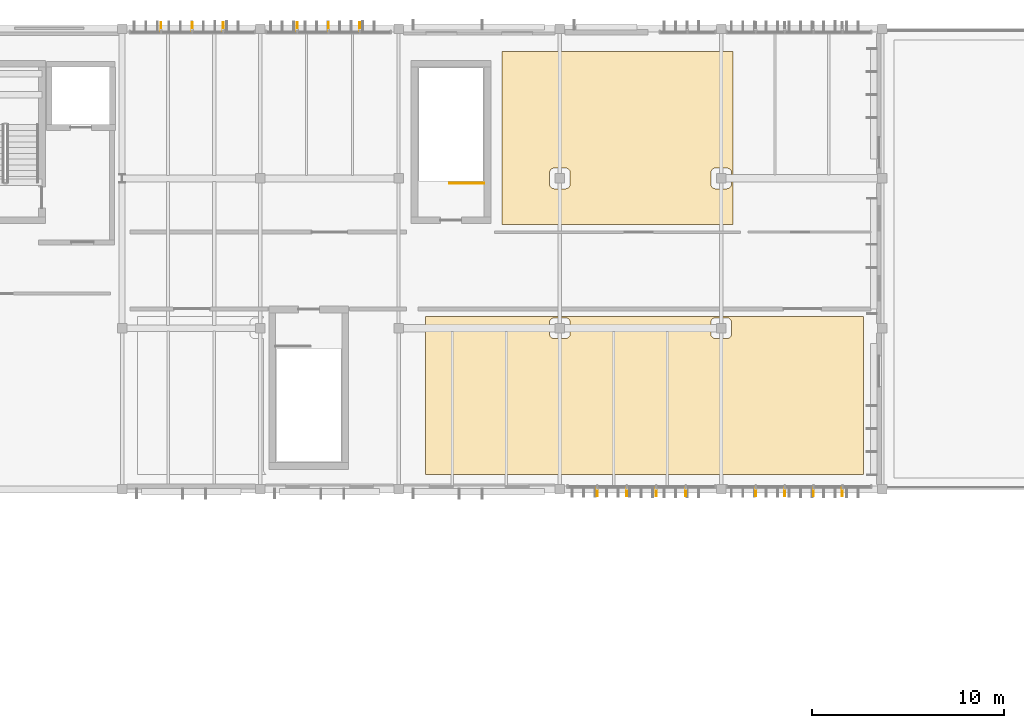
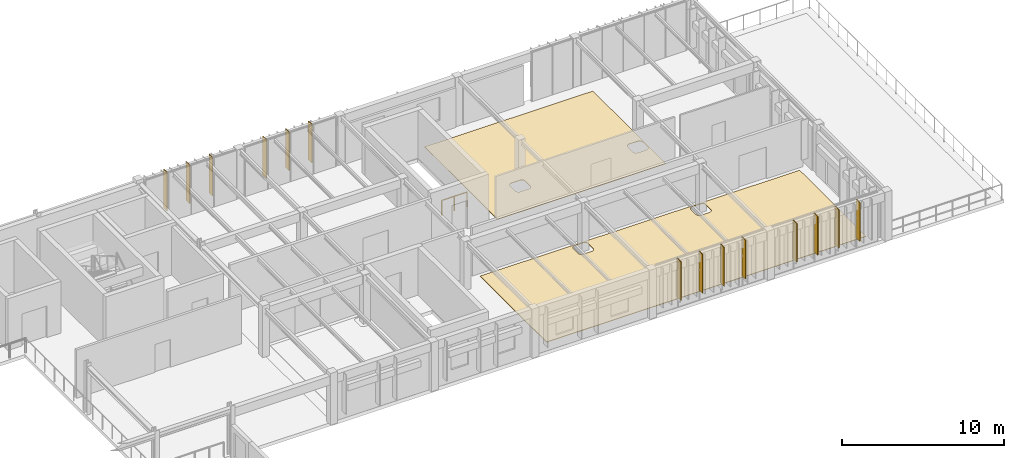
# One storey, part 43 of 44: 14 shading devices, 2 coverings, 1 railing.
"""IFC4 building model written with IfcOpenShell, lengths in metres."""

from ifc_helpers import new_model, si_unit, direction, frame, origin, origin_2d, place, context, subcontext, project, spatial, polyline, rectangle, circle, outline, extrude, material, layer, layer_set, material_profile, profile_set, type_object, element, save


model = new_model("IFC4")

# Units and contexts
model_context = context("Model", 3, precision=1e-05, world=origin(), true_north=direction((0.0, 1.0)))
body_context = subcontext(model_context, "Body", "Model", "MODEL_VIEW")
ifc_project = project(units=[si_unit("LENGTHUNIT", "METRE"), si_unit("AREAUNIT", "SQUARE_METRE"), si_unit("VOLUMEUNIT", "CUBIC_METRE"), si_unit("PLANEANGLEUNIT", "RADIAN"), si_unit("MASSUNIT", "GRAM", prefix="KILO")], contexts=[model_context])

# Site, building, storey
site_placement = place(None, origin())
site = spatial("IfcSite", under=ifc_project, at=site_placement, CompositionType="ELEMENT")
building_placement = place(site_placement, origin())
building = spatial("IfcBuilding", under=site, at=building_placement, Name="Tazoul Stagehouse", CompositionType="ELEMENT")
storey_placement = place(building_placement, frame((0.0, 0.0, 13.199951171875)))
storey = spatial("IfcBuildingStorey", under=building, at=storey_placement, Name="L03", CompositionType="ELEMENT", Elevation=13.199951171875)

# Shading devices
ifc_material_1 = material(Name="Anodised Bronze Aluminium 6063-T6", Category="aluminium")
ifc_layer_1 = layer(ifc_material_1, 0.050048828125, Name="Anodised Bronze Aluminium 6063-T6")
ifc_layer_set_1 = layer_set([ifc_layer_1], Name="Anodised Bronze Aluminium 6063-T6")
shading_device_type_1 = type_object("IfcShadingDeviceType", Name="Angled Acoustic Sun-Screen Blade 460", PredefinedType="USERDEFINED", material=ifc_layer_set_1)
for number, where, z_axis, x_axis, name in (
    (1, (104.625, 111.89990234375, 0.739990234375), (0.0, 0.0, 1.0), (1.0, 0.0, 0.0), "Shading Louvre FIN-02 CW-V3-N1-L03-B1-SHD01"),
    (2, (107.875, 111.89990234375, 0.739990234375), (0.0, 0.0, 1.0), (1.0, 0.0, 0.0), "Shading Louvre FIN-02 CW-V3-N1-L03-B1-SHD03"),
    (3, (111.72509765625, 111.89990234375, 0.739990234375), (0.0, 0.0, 1.0), (1.0, 0.0, 0.0), "Shading Louvre FIN-02 CW-V3-N1-L03-B2-SHD01"),
    (4, (114.97509765625, 111.89990234375, 0.739990234375), (0.0, 0.0, 1.0), (1.0, 0.0, 0.0), "Shading Louvre FIN-02 CW-V3-N1-L03-B2-SHD03"),
    (5, (127.340087890625, 87.669921875, 0.739990234375), (0.0, 0.0, 1.0), (1.0, 0.0, 0.0), "Shading Louvre FIN-02 CW-V3-S2-L03-B1-SHD01"),
    (6, (130.419921875, 87.669921875, 0.739990234375), (0.0, 0.0, 1.0), (1.0, 0.0, 0.0), "Shading Louvre FIN-02 CW-V3-S2-L03-B1-SHD03"),
    (7, (135.60400390625, 87.669921875, 0.739990234375), (0.0, 0.0, 1.0), (1.0, 0.0, 0.0), "Shading Louvre FIN-02 CW-V3-S2-L03-B2-SHD01"),
    (8, (138.612060546875, 87.669921875, 0.739990234375), (0.0, 0.0, 1.0), (1.0, 0.0, 0.0), "Shading Louvre FIN-02 CW-V3-S2-L03-B2-SHD03"),
):
    element("IfcShadingDevice", number, at=place(storey_placement, frame(where, z_axis=z_axis, x_axis=x_axis)), inside=storey, type_object=shading_device_type_1, Name=name, ObjectType="FIN", PredefinedType="USERDEFINED", context=body_context, shape_type="SweptSolid", body=[
        extrude(rectangle(XDim=0.044921875, YDim=0.4599609375, at=origin_2d()), origin(), (0.0, 0.0, 1.0), 2.919921875),
    ])

# Railing
ifc_material_2 = material(Name="Brushed Stainless Steel 316L", Category="steel")
ifc_material_profile = material_profile(ifc_material_2, circle(Radius=0.02392578125, at=origin_2d()), Name="SS RAIL D48")
ifc_profile_set = profile_set([ifc_material_profile], Name="Brushed Stainless Steel 316L")
railing_type = type_object("IfcRailingType", Name="Architectural Guardrail H1120", PredefinedType="GUARDRAIL", material=ifc_profile_set)
railing_placement = place(storey_placement, frame((121.449951171875, 103.75, 0.0)))
element("IfcRailing", 9, at=railing_placement, inside=storey, type_object=railing_type, Name="L03 ST-02 top well guard 1", PredefinedType="GUARDRAIL", context=body_context, shape_type="SweptSolid", body=[
    extrude(circle(Radius=0.02392578125, at=origin_2d()), frame((0.0, 0.0, 1.09619140625), z_axis=(-1.0, 0.0, 0.0), x_axis=(0.0, -1.0, 0.0)), (0.0, 0.0, 1.0), 1.800048828125),
    extrude(circle(Radius=0.02099609375, at=origin_2d()), origin(), (0.0, 0.0, 1.0), 1.072021484375),
    extrude(circle(Radius=0.02099609375, at=origin_2d()), frame((-0.89990234375, 0.0, 0.0)), (0.0, 0.0, 1.0), 1.072021484375),
    extrude(circle(Radius=0.02099609375, at=origin_2d()), frame((-1.800048828125, 0.0, 0.0)), (0.0, 0.0, 1.0), 1.072021484375),
])

# Coverings
ifc_material_3 = material(Name="Acoustic Cedar Timber", Category="wood")
ifc_layer_2 = layer(ifc_material_3, 0.0400390625, Name="Acoustic Cedar Timber")
ifc_layer_set_2 = layer_set([ifc_layer_2], Name="Acoustic Cedar Timber")
covering_type_1 = type_object("IfcCoveringType", Name="Atlas Cedar Sprung Stage & Hall Flooring 40", PredefinedType="FLOORING", material=ifc_layer_set_2)
covering_1_placement = place(storey_placement, origin())
element("IfcCovering", 10, at=covering_1_placement, inside=storey, type_object=covering_type_1, Name="L03 Symphonic Orchestra Rehearsal Hall Flooring", PredefinedType="FLOORING", context=body_context, shape_type="SweptSolid", body=[
    extrude(outline(polyline([(141.2099609375, 96.81005859375), (141.2099609375, 88.590087890625), (118.389892578125, 88.590087890625), (118.389892578125, 96.81005859375), (141.2099609375, 96.81005859375)]), holes=[polyline([(133.485595703125, 96.73876953125), (133.461181640625, 96.735107421875), (133.4375, 96.729248046875), (133.414306640625, 96.720947265625), (133.39208984375, 96.71044921875), (133.37109375, 96.697998046875), (133.351318359375, 96.683349609375), (133.333251953125, 96.666748046875), (133.316650390625, 96.648681640625), (133.302001953125, 96.62890625), (133.28955078125, 96.60791015625), (133.279052734375, 96.585693359375), (133.270751953125, 96.5625), (133.264892578125, 96.538818359375), (133.26123046875, 96.514404296875), (133.260009765625, 96.489990234375), (133.260009765625, 95.909912109375), (133.26123046875, 95.885498046875), (133.264892578125, 95.861083984375), (133.270751953125, 95.83740234375), (133.279052734375, 95.814208984375), (133.28955078125, 95.792236328125), (133.302001953125, 95.77099609375), (133.316650390625, 95.75146484375), (133.333251953125, 95.733154296875), (133.351318359375, 95.716796875), (133.37109375, 95.7021484375), (133.39208984375, 95.689453125), (133.414306640625, 95.678955078125), (133.4375, 95.6708984375), (133.461181640625, 95.664794921875), (133.485595703125, 95.6611328125), (133.510009765625, 95.659912109375), (134.090087890625, 95.659912109375), (134.114501953125, 95.6611328125), (134.138916015625, 95.664794921875), (134.16259765625, 95.6708984375), (134.185791015625, 95.678955078125), (134.207763671875, 95.689453125), (134.22900390625, 95.7021484375), (134.24853515625, 95.716796875), (134.266845703125, 95.733154296875), (134.283203125, 95.75146484375), (134.2978515625, 95.77099609375), (134.310546875, 95.792236328125), (134.321044921875, 95.814208984375), (134.3291015625, 95.83740234375), (134.335205078125, 95.861083984375), (134.3388671875, 95.885498046875), (134.340087890625, 95.909912109375), (134.340087890625, 96.489990234375), (134.3388671875, 96.514404296875), (134.335205078125, 96.538818359375), (134.3291015625, 96.5625), (134.321044921875, 96.585693359375), (134.310546875, 96.60791015625), (134.2978515625, 96.62890625), (134.283203125, 96.648681640625), (134.266845703125, 96.666748046875), (134.24853515625, 96.683349609375), (134.22900390625, 96.697998046875), (134.207763671875, 96.71044921875), (134.185791015625, 96.720947265625), (134.16259765625, 96.729248046875), (134.138916015625, 96.735107421875), (134.114501953125, 96.73876953125), (134.090087890625, 96.739990234375), (133.510009765625, 96.739990234375), (133.485595703125, 96.73876953125)]), polyline([(125.08544921875, 96.73876953125), (125.061279296875, 96.735107421875), (125.037353515625, 96.729248046875), (125.014404296875, 96.720947265625), (124.9921875, 96.71044921875), (124.97119140625, 96.697998046875), (124.951416015625, 96.683349609375), (124.93310546875, 96.666748046875), (124.916748046875, 96.648681640625), (124.902099609375, 96.62890625), (124.889404296875, 96.60791015625), (124.87890625, 96.585693359375), (124.870849609375, 96.5625), (124.86474609375, 96.538818359375), (124.861083984375, 96.514404296875), (124.860107421875, 96.489990234375), (124.860107421875, 95.909912109375), (124.861083984375, 95.885498046875), (124.86474609375, 95.861083984375), (124.870849609375, 95.83740234375), (124.87890625, 95.814208984375), (124.889404296875, 95.792236328125), (124.902099609375, 95.77099609375), (124.916748046875, 95.75146484375), (124.93310546875, 95.733154296875), (124.951416015625, 95.716796875), (124.97119140625, 95.7021484375), (124.9921875, 95.689453125), (125.014404296875, 95.678955078125), (125.037353515625, 95.6708984375), (125.061279296875, 95.664794921875), (125.08544921875, 95.6611328125), (125.110107421875, 95.659912109375), (125.68994140625, 95.659912109375), (125.714599609375, 95.6611328125), (125.73876953125, 95.664794921875), (125.7626953125, 95.6708984375), (125.78564453125, 95.678955078125), (125.807861328125, 95.689453125), (125.828857421875, 95.7021484375), (125.8486328125, 95.716796875), (125.86669921875, 95.733154296875), (125.88330078125, 95.75146484375), (125.89794921875, 95.77099609375), (125.910400390625, 95.792236328125), (125.9208984375, 95.814208984375), (125.92919921875, 95.83740234375), (125.935302734375, 95.861083984375), (125.938720703125, 95.885498046875), (125.93994140625, 95.909912109375), (125.93994140625, 96.489990234375), (125.938720703125, 96.514404296875), (125.935302734375, 96.538818359375), (125.92919921875, 96.5625), (125.9208984375, 96.585693359375), (125.910400390625, 96.60791015625), (125.89794921875, 96.62890625), (125.88330078125, 96.648681640625), (125.86669921875, 96.666748046875), (125.8486328125, 96.683349609375), (125.828857421875, 96.697998046875), (125.807861328125, 96.71044921875), (125.78564453125, 96.720947265625), (125.7626953125, 96.729248046875), (125.73876953125, 96.735107421875), (125.714599609375, 96.73876953125), (125.68994140625, 96.739990234375), (125.110107421875, 96.739990234375), (125.08544921875, 96.73876953125)])]), origin(), (0.0, 0.0, 1.0), 0.0400390625),
])
ifc_material_4 = material(Name="Honed Rabat Calcarenite Stone", Category="masonry")
ifc_layer_3 = layer(ifc_material_4, 0.030029296875, Name="Honed Rabat Calcarenite Stone")
ifc_layer_set_3 = layer_set([ifc_layer_3], Name="Honed Rabat Calcarenite Stone")
covering_type_2 = type_object("IfcCoveringType", Name="Honed Rabat Limestone Foyer Flooring 30", PredefinedType="FLOORING", material=ifc_layer_set_3)
covering_2_placement = place(storey_placement, origin())
element("IfcCovering", 11, at=covering_2_placement, inside=storey, type_object=covering_type_2, Name="L03 Performers Green Room and Hospitality Lounge Flooring", PredefinedType="FLOORING", context=body_context, shape_type="SweptSolid", body=[
    extrude(outline(polyline([(134.409912109375, 110.610107421875), (134.409912109375, 101.590087890625), (122.389892578125, 101.590087890625), (122.389892578125, 110.610107421875), (134.409912109375, 110.610107421875)]), holes=[polyline([(133.485595703125, 104.538818359375), (133.461181640625, 104.53515625), (133.4375, 104.529296875), (133.414306640625, 104.52099609375), (133.39208984375, 104.510498046875), (133.37109375, 104.497802734375), (133.351318359375, 104.4833984375), (133.333251953125, 104.466796875), (133.316650390625, 104.448486328125), (133.302001953125, 104.428955078125), (133.28955078125, 104.40771484375), (133.279052734375, 104.3857421875), (133.270751953125, 104.362548828125), (133.264892578125, 104.3388671875), (133.26123046875, 104.314453125), (133.260009765625, 104.2900390625), (133.260009765625, 103.7099609375), (133.26123046875, 103.685546875), (133.264892578125, 103.6611328125), (133.270751953125, 103.637451171875), (133.279052734375, 103.6142578125), (133.28955078125, 103.59228515625), (133.302001953125, 103.571044921875), (133.316650390625, 103.551513671875), (133.333251953125, 103.533203125), (133.351318359375, 103.5166015625), (133.37109375, 103.502197265625), (133.39208984375, 103.489501953125), (133.414306640625, 103.47900390625), (133.4375, 103.470703125), (133.461181640625, 103.46484375), (133.485595703125, 103.461181640625), (133.510009765625, 103.4599609375), (134.090087890625, 103.4599609375), (134.114501953125, 103.461181640625), (134.138916015625, 103.46484375), (134.16259765625, 103.470703125), (134.185791015625, 103.47900390625), (134.207763671875, 103.489501953125), (134.22900390625, 103.502197265625), (134.24853515625, 103.5166015625), (134.266845703125, 103.533203125), (134.283203125, 103.551513671875), (134.2978515625, 103.571044921875), (134.310546875, 103.59228515625), (134.321044921875, 103.6142578125), (134.3291015625, 103.637451171875), (134.335205078125, 103.6611328125), (134.3388671875, 103.685546875), (134.340087890625, 103.7099609375), (134.340087890625, 104.2900390625), (134.3388671875, 104.314453125), (134.335205078125, 104.3388671875), (134.3291015625, 104.362548828125), (134.321044921875, 104.3857421875), (134.310546875, 104.40771484375), (134.2978515625, 104.428955078125), (134.283203125, 104.448486328125), (134.266845703125, 104.466796875), (134.24853515625, 104.4833984375), (134.22900390625, 104.497802734375), (134.207763671875, 104.510498046875), (134.185791015625, 104.52099609375), (134.16259765625, 104.529296875), (134.138916015625, 104.53515625), (134.114501953125, 104.538818359375), (134.090087890625, 104.5400390625), (133.510009765625, 104.5400390625), (133.485595703125, 104.538818359375)]), polyline([(125.08544921875, 104.538818359375), (125.061279296875, 104.53515625), (125.037353515625, 104.529296875), (125.014404296875, 104.52099609375), (124.9921875, 104.510498046875), (124.97119140625, 104.497802734375), (124.951416015625, 104.4833984375), (124.93310546875, 104.466796875), (124.916748046875, 104.448486328125), (124.902099609375, 104.428955078125), (124.889404296875, 104.40771484375), (124.87890625, 104.3857421875), (124.870849609375, 104.362548828125), (124.86474609375, 104.3388671875), (124.861083984375, 104.314453125), (124.860107421875, 104.2900390625), (124.860107421875, 103.7099609375), (124.861083984375, 103.685546875), (124.86474609375, 103.6611328125), (124.870849609375, 103.637451171875), (124.87890625, 103.6142578125), (124.889404296875, 103.59228515625), (124.902099609375, 103.571044921875), (124.916748046875, 103.551513671875), (124.93310546875, 103.533203125), (124.951416015625, 103.5166015625), (124.97119140625, 103.502197265625), (124.9921875, 103.489501953125), (125.014404296875, 103.47900390625), (125.037353515625, 103.470703125), (125.061279296875, 103.46484375), (125.08544921875, 103.461181640625), (125.110107421875, 103.4599609375), (125.68994140625, 103.4599609375), (125.714599609375, 103.461181640625), (125.73876953125, 103.46484375), (125.7626953125, 103.470703125), (125.78564453125, 103.47900390625), (125.807861328125, 103.489501953125), (125.828857421875, 103.502197265625), (125.8486328125, 103.5166015625), (125.86669921875, 103.533203125), (125.88330078125, 103.551513671875), (125.89794921875, 103.571044921875), (125.910400390625, 103.59228515625), (125.9208984375, 103.6142578125), (125.92919921875, 103.637451171875), (125.935302734375, 103.6611328125), (125.938720703125, 103.685546875), (125.93994140625, 103.7099609375), (125.93994140625, 104.2900390625), (125.938720703125, 104.314453125), (125.935302734375, 104.3388671875), (125.92919921875, 104.362548828125), (125.9208984375, 104.3857421875), (125.910400390625, 104.40771484375), (125.89794921875, 104.428955078125), (125.88330078125, 104.448486328125), (125.86669921875, 104.466796875), (125.8486328125, 104.4833984375), (125.828857421875, 104.497802734375), (125.807861328125, 104.510498046875), (125.78564453125, 104.52099609375), (125.7626953125, 104.529296875), (125.73876953125, 104.53515625), (125.714599609375, 104.538818359375), (125.68994140625, 104.5400390625), (125.110107421875, 104.5400390625), (125.08544921875, 104.538818359375)])]), origin(), (0.0, 0.0, 1.0), 0.030029296875),
])

# Shading devices
ifc_layer_4 = layer(ifc_material_1, 0.044921875, Name="Anodised Bronze Aluminium 6063-T6")
ifc_layer_set_4 = layer_set([ifc_layer_4], Name="Anodised Bronze Aluminium 6063-T6")
shading_device_type_2 = type_object("IfcShadingDeviceType", Name="Vertical Extruded Terracotta-Bronze Louvre 460", PredefinedType="JALOUSIE", material=ifc_layer_set_4)
for number, where, z_axis, x_axis, name in (
    (12, (106.25, 111.89990234375, 0.739990234375), (0.0, 0.0, 1.0), (1.0, 0.0, 0.0), "Shading Louvre FIN-01 CW-V3-N1-L03-B1-SHD02"),
    (13, (113.35009765625, 111.89990234375, 0.739990234375), (0.0, 0.0, 1.0), (1.0, 0.0, 0.0), "Shading Louvre FIN-01 CW-V3-N1-L03-B2-SHD02"),
    (14, (128.8798828125, 87.669921875, 0.739990234375), (0.0, 0.0, 1.0), (1.0, 0.0, 0.0), "Shading Louvre FIN-01 CW-V3-S2-L03-B1-SHD02"),
    (15, (131.9599609375, 87.669921875, 0.739990234375), (0.0, 0.0, 1.0), (1.0, 0.0, 0.0), "Shading Louvre FIN-01 CW-V3-S2-L03-B1-SHD04"),
    (16, (137.10791015625, 87.669921875, 0.739990234375), (0.0, 0.0, 1.0), (1.0, 0.0, 0.0), "Shading Louvre FIN-01 CW-V3-S2-L03-B2-SHD02"),
    (17, (140.115966796875, 87.669921875, 0.739990234375), (0.0, 0.0, 1.0), (1.0, 0.0, 0.0), "Shading Louvre FIN-01 CW-V3-S2-L03-B2-SHD04"),
):
    element("IfcShadingDevice", number, at=place(storey_placement, frame(where, z_axis=z_axis, x_axis=x_axis)), inside=storey, type_object=shading_device_type_2, Name=name, PredefinedType="JALOUSIE", context=body_context, shape_type="SweptSolid", body=[
        extrude(rectangle(XDim=0.044921875, YDim=0.4599609375, at=origin_2d()), origin(), (0.0, 0.0, 1.0), 2.919921875),
    ])

save(model, "model.ifc")
